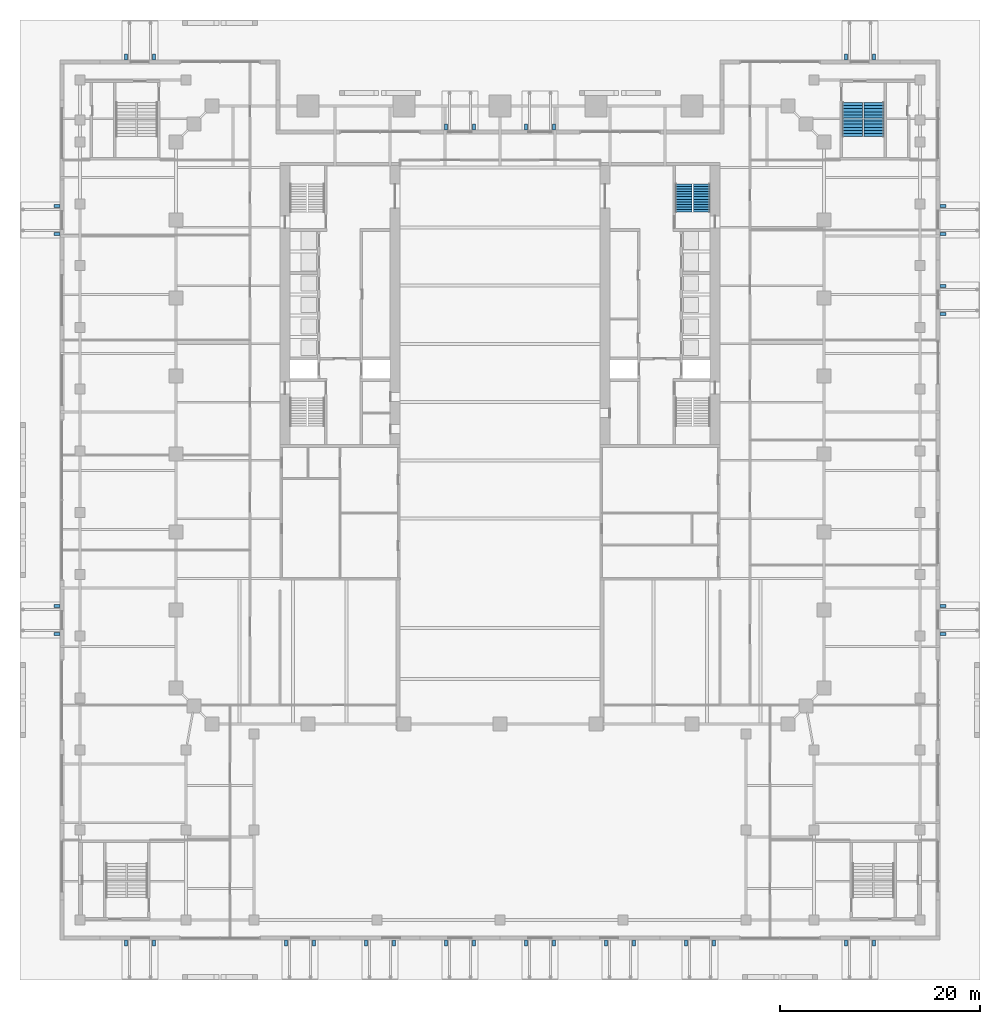
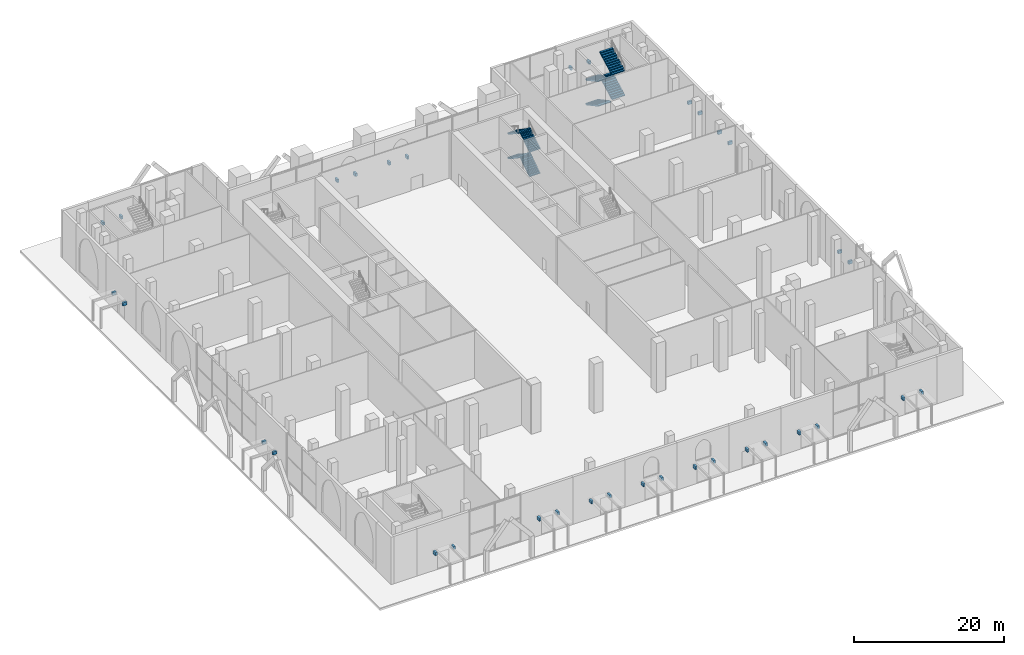
# One storey, part 36 of 38: 34 discrete accessories, 8 stair flights, 2 elements without a shape of their own.
"""IFC4 building model written with IfcOpenShell, lengths in metres."""

import ifcopenshell
import ifcopenshell.guid

model = None  # the IFC model being written
_history = None  # IfcOwnerHistory: only IFC2X3 demands one
_inside = {}  # id of a spatial element -> (the spatial element, [elements in it])
_under = {}  # id of a project, library or spatial element -> (it, [spatial elements below it])
_declared = {}  # id of a project -> (the project, [libraries it declares])
_typed = {}  # id of a type object -> (the type object, [elements of that type])
_made_of = {}  # id of a material, layer set ... -> (it, [elements and type objects made of it])


def new_model(schema):
    """Start an empty IFC model of exactly this schema.

    Asked for "IFC4X3", IfcOpenShell would pick the latest addendum, in which some entities
    have other attributes; the version numbers below select the first issue.
    IFC2X3 requires an IfcOwnerHistory on every rooted entity: one is made here for all.
    """
    global model, _history
    if schema == "IFC4X3":
        model = ifcopenshell.file(schema_version=(4, 3, 0, 0))
    else:
        model = ifcopenshell.file(schema=schema)
    _inside.clear()
    _under.clear()
    _declared.clear()
    _typed.clear()
    _made_of.clear()
    _history = None
    if model.schema == "IFC2X3":
        org = make("IfcOrganization", Name="unknown")
        user = make(
            "IfcPersonAndOrganization",
            ThePerson=make("IfcPerson", FamilyName="unknown"),
            TheOrganization=org,
        )
        app = make(
            "IfcApplication",
            ApplicationDeveloper=org,
            Version="unknown",
            ApplicationFullName="unknown",
            ApplicationIdentifier="unknown",
        )
        _history = make(
            "IfcOwnerHistory",
            OwningUser=user,
            OwningApplication=app,
            ChangeAction="ADDED",
            CreationDate=0,
        )
    return model


def make(cls, **values):
    """One entity of the class cls with the attributes given. An attribute that is None is left unset."""
    return model.create_entity(
        cls, **{name: value for name, value in values.items() if value is not None}
    )


def rooted(cls, **values):
    """An entity with a GlobalId (a new one), such as an element, a storey or a relation."""
    return make(cls, GlobalId=ifcopenshell.guid.new(), OwnerHistory=_history, **values)


def si_unit(unit_type, name, prefix=None):
    """IfcSIUnit, for example si_unit("LENGTHUNIT", "METRE", prefix="MILLI")."""
    return make("IfcSIUnit", UnitType=unit_type, Prefix=prefix, Name=name)


def assignment(units):
    """IfcUnitAssignment: the units of a project."""
    return None if units is None else make("IfcUnitAssignment", Units=units)


def point(xyz):
    """IfcCartesianPoint."""
    return None if xyz is None else make("IfcCartesianPoint", Coordinates=xyz)


def direction(xyz):
    """IfcDirection."""
    return None if xyz is None else make("IfcDirection", DirectionRatios=xyz)


def frame(location, z_axis=None, x_axis=None):
    """IfcAxis2Placement3D, a coordinate frame: its origin and axes. An axis left out is left unset."""
    return make(
        "IfcAxis2Placement3D",
        Location=point(location),
        Axis=direction(z_axis),
        RefDirection=direction(x_axis),
    )


def frame_2d(location, x_axis=None):
    """IfcAxis2Placement2D, a coordinate frame in the plane: its origin and x axis."""
    return make(
        "IfcAxis2Placement2D", Location=point(location), RefDirection=direction(x_axis)
    )


def origin():
    """The frame at (0, 0, 0) with its axes left unset."""
    return frame((0.0, 0.0, 0.0))


def origin_2d():
    """The frame at (0, 0) in the plane with its x axis left unset."""
    return frame_2d((0.0, 0.0))


def place(relative_to, where):
    """IfcLocalPlacement: puts the frame where relative to a parent placement (None: the world)."""
    return make(
        "IfcLocalPlacement", PlacementRelTo=relative_to, RelativePlacement=where
    )


def context(
    kind, dimensions, precision=None, world=None, true_north=None, identifier=None
):
    """IfcGeometricRepresentationContext, for example the 3D "Model" context."""
    return make(
        "IfcGeometricRepresentationContext",
        ContextIdentifier=identifier,
        ContextType=kind,
        CoordinateSpaceDimension=dimensions,
        Precision=precision,
        WorldCoordinateSystem=world,
        TrueNorth=true_north,
    )


def subcontext(parent, identifier, kind, view, scale=None):
    """IfcGeometricRepresentationSubContext, for example "Body" below "Model"."""
    return make(
        "IfcGeometricRepresentationSubContext",
        ContextIdentifier=identifier,
        ContextType=kind,
        ParentContext=parent,
        TargetScale=scale,
        TargetView=view,
    )


def project(units=None, contexts=None):
    """IfcProject with its units and contexts."""
    return rooted(
        "IfcProject",
        Name="project",
        RepresentationContexts=contexts,
        UnitsInContext=assignment(units),
    )


def spatial(cls, under=None, at=None, **own):
    """A site, building, storey or space (cls), placed at a placement, below another one or the project."""
    s = rooted(cls, ObjectPlacement=at, **own)
    if under is not None:
        _under.setdefault(under.id(), (under, []))[1].append(s)
    return s


def polyline(points):
    """IfcPolyline through the points."""
    return make("IfcPolyline", Points=[point(p) for p in points])


def profile(cls, at=None, kind="AREA", **sizes):
    """A parametric profile (cls). Its sizes go by their IFC names, for example OverallWidth=200.0."""
    return make(cls, ProfileType=kind, Position=at, **sizes)


def rectangle(**sizes):
    """IfcRectangleProfileDef."""
    return profile("IfcRectangleProfileDef", **sizes)


def outline(outer, holes=None, kind="AREA"):
    """IfcArbitraryClosedProfileDef: a profile drawn as a closed curve; with holes, ...WithVoids."""
    if holes is None:
        return make("IfcArbitraryClosedProfileDef", ProfileType=kind, OuterCurve=outer)
    return make(
        "IfcArbitraryProfileDefWithVoids",
        ProfileType=kind,
        OuterCurve=outer,
        InnerCurves=holes,
    )


def extrude(swept, where, along, depth):
    """IfcExtrudedAreaSolid: the profile swept, set in the frame where, extruded along a direction by depth."""
    return make(
        "IfcExtrudedAreaSolid",
        SweptArea=swept,
        Position=where,
        ExtrudedDirection=direction(along),
        Depth=depth,
    )


def shape(context_of_items, identifier, shape_type, items):
    """IfcShapeRepresentation: the items that make up one representation, for example the "Body"."""
    return make(
        "IfcShapeRepresentation",
        ContextOfItems=context_of_items,
        RepresentationIdentifier=identifier,
        RepresentationType=shape_type,
        Items=items,
    )


def material(Name=None, Category=None):
    """IfcMaterial."""
    return make("IfcMaterial", Name=Name, Category=Category)


def made_of(thing, what):
    """Note that an element or type object is made of a material, layer set ...; save() writes the relation."""
    if what is not None:
        _made_of.setdefault(what.id(), (what, []))[1].append(thing)
    return thing


def type_object(cls, material=None, **own):
    """A type object (cls), such as IfcWallType, which elements share."""
    return made_of(rooted(cls, **own), material)


def element(
    cls,
    number,
    at=None,
    inside=None,
    cuts=None,
    type_object=None,
    material=None,
    context=None,
    identifier="Body",
    shape_type=None,
    held_by="IfcProductDefinitionShape",
    body=None,
    shapes=None,
    **own,
):
    """One element of the class cls, such as IfcWall. Its Tag is "e" and its number.

    at: its placement. inside: the storey or other place that contains it. cuts: it is an
    opening in that element (IfcRelVoidsElement). A single representation is given by context,
    identifier, shape_type and body (its items); several are given by shapes. held_by: the class
    of the entity that holds the representations. save() writes the other relations.
    """
    e = rooted(cls, Tag="e%d" % number, ObjectPlacement=at, **own)
    if body is not None:
        shapes = [shape(context, identifier, shape_type, body)]
    if shapes is not None:
        e.Representation = make(held_by, Representations=shapes)
    if inside is not None:
        _inside.setdefault(inside.id(), (inside, []))[1].append(e)
    if cuts is not None:
        rooted(
            "IfcRelVoidsElement", RelatingBuildingElement=cuts, RelatedOpeningElement=e
        )
    if type_object is not None:
        _typed.setdefault(type_object.id(), (type_object, []))[1].append(e)
    return made_of(e, material)


def aggregate(whole, parts):
    """IfcRelAggregates: a whole, such as a stair, and the parts it consists of."""
    return rooted("IfcRelAggregates", RelatingObject=whole, RelatedObjects=parts)


def save(model, path):
    """Write the relations noted so far, then the file.

    IfcRelAggregates (storeys below a building ...), IfcRelContainedInSpatialStructure (elements
    in a storey), IfcRelDefinesByType, IfcRelAssociatesMaterial and IfcRelDeclares: one each for
    every whole, place, type object, material and project.
    """
    for whole, parts in _under.values():
        aggregate(whole, parts)
    for where, things in _inside.values():
        rooted(
            "IfcRelContainedInSpatialStructure",
            RelatedElements=things,
            RelatingStructure=where,
        )
    for kind, things in _typed.values():
        rooted("IfcRelDefinesByType", RelatedObjects=things, RelatingType=kind)
    for what, things in _made_of.values():
        rooted("IfcRelAssociatesMaterial", RelatedObjects=things, RelatingMaterial=what)
    for by, libraries in _declared.values():
        rooted("IfcRelDeclares", RelatingContext=by, RelatedDefinitions=libraries)
    model.write(path)


model = new_model("IFC4")

# Units and contexts
model_context = context("Model", 3, precision=1e-05, world=origin(), true_north=direction((0.0, 1.0)))
body_context = subcontext(model_context, "Body", "Model", "MODEL_VIEW")
ifc_project = project(units=[si_unit("LENGTHUNIT", "METRE"), si_unit("AREAUNIT", "SQUARE_METRE"), si_unit("VOLUMEUNIT", "CUBIC_METRE"), si_unit("PLANEANGLEUNIT", "RADIAN"), si_unit("MASSUNIT", "GRAM", prefix="KILO")], contexts=[model_context])

# Site, building, storey
site_placement = place(None, origin())
site = spatial("IfcSite", under=ifc_project, at=site_placement, CompositionType="ELEMENT")
building_placement = place(site_placement, origin())
building = spatial("IfcBuilding", under=site, at=building_placement, Name="Ogive Exchange Tower", CompositionType="ELEMENT")
storey_placement = place(building_placement, origin())
storey = spatial("IfcBuildingStorey", under=building, at=storey_placement, Name="L00", CompositionType="ELEMENT", Elevation=0.0)

# Stair, stair flights
ifc_material = material(Name="Concrete C40/50", Category="concrete")
stair_type_1 = type_object("IfcStairType", Name="Exit stair 1650 wide", PredefinedType="HALF_TURN_STAIR", material=ifc_material)
stair_1_placement = place(storey_placement, origin())
stair_1 = element("IfcStair", 1, at=stair_1_placement, inside=storey, type_object=stair_type_1, Name="L00 exit stair ST4", PredefinedType="HALF_TURN_STAIR")
stair_flight_type_1 = type_object("IfcStairFlightType", Name="Stair flight 1650 wide", PredefinedType="STRAIGHT", material=ifc_material)
stair_flight_1_placement = place(storey_placement, frame((20.175048828125, 20.800048828125, 0.0), z_axis=(0.0, 0.0, 1.0), x_axis=(0.0, 1.0, 0.0)))
stair_flight_1 = element("IfcStairFlight", 2, at=stair_flight_1_placement, type_object=stair_flight_type_1, Name="ST4 flight 1", NumberOfRisers=12, NumberOfTreads=11, PredefinedType="STRAIGHT", RiserHeight=0.166666667, TreadLength=0.255, context=body_context, shape_type="SweptSolid", body=[
    extrude(outline(polyline([(0.0, 0.0), (0.0, 0.166748046875), (0.2548828125, 0.166748046875), (0.2548828125, 0.333251953125), (0.510009765625, 0.333251953125), (0.510009765625, 0.5), (0.764892578125, 0.5), (0.764892578125, 0.666748046875), (1.02001953125, 0.666748046875), (1.02001953125, 0.833251953125), (1.27490234375, 0.833251953125), (1.27490234375, 1.0), (1.530029296875, 1.0), (1.530029296875, 1.166748046875), (1.784912109375, 1.166748046875), (1.784912109375, 1.333251953125), (2.0400390625, 1.333251953125), (2.0400390625, 1.5), (2.294921875, 1.5), (2.294921875, 1.666748046875), (2.550048828125, 1.666748046875), (2.550048828125, 1.833251953125), (2.804931640625, 1.833251953125), (2.804931640625, 2.0), (2.804931640625, 1.654296875), (0.27392578125, 0.0), (0.0, 0.0)])), frame((0.0, 0.824951171875, 0.0), z_axis=(0.0, -1.0, 0.0), x_axis=(1.0, 0.0, 0.0)), (0.0, 0.0, 1.0), 1.64990234375),
])
stair_flight_2_placement = place(storey_placement, frame((18.375, 23.60498046875, 2.0), z_axis=(0.0, 0.0, 1.0), x_axis=(0.0, -1.0, 0.0)))
stair_flight_2 = element("IfcStairFlight", 3, at=stair_flight_2_placement, type_object=stair_flight_type_1, Name="ST4 flight 2", NumberOfRisers=12, NumberOfTreads=11, PredefinedType="STRAIGHT", RiserHeight=0.166666667, TreadLength=0.255, context=body_context, shape_type="SweptSolid", body=[
    extrude(outline(polyline([(0.0, 0.0), (0.0, 0.166748046875), (0.2548828125, 0.166748046875), (0.2548828125, 0.333251953125), (0.510009765625, 0.333251953125), (0.510009765625, 0.5), (0.764892578125, 0.5), (0.764892578125, 0.666748046875), (1.02001953125, 0.666748046875), (1.02001953125, 0.833251953125), (1.27490234375, 0.833251953125), (1.27490234375, 1.0), (1.530029296875, 1.0), (1.530029296875, 1.166748046875), (1.784912109375, 1.166748046875), (1.784912109375, 1.333251953125), (2.0400390625, 1.333251953125), (2.0400390625, 1.5), (2.294921875, 1.5), (2.294921875, 1.666748046875), (2.550048828125, 1.666748046875), (2.550048828125, 1.833251953125), (2.804931640625, 1.833251953125), (2.804931640625, 2.0), (2.804931640625, 1.654296875), (0.27392578125, 0.0), (0.0, 0.0)])), frame((0.0, 0.824951171875, 0.0), z_axis=(0.0, -1.0, 0.0), x_axis=(1.0, 0.0, 0.0)), (0.0, 0.0, 1.0), 1.64990234375),
])
stair_flight_3_placement = place(storey_placement, frame((20.175048828125, 20.800048828125, 4.0), z_axis=(0.0, 0.0, 1.0), x_axis=(0.0, 1.0, 0.0)))
stair_flight_3 = element("IfcStairFlight", 4, at=stair_flight_3_placement, type_object=stair_flight_type_1, Name="ST4 flight 3", NumberOfRisers=12, NumberOfTreads=11, PredefinedType="STRAIGHT", RiserHeight=0.166666667, TreadLength=0.255, context=body_context, shape_type="SweptSolid", body=[
    extrude(outline(polyline([(0.0, 0.0), (0.0, 0.166748046875), (0.2548828125, 0.166748046875), (0.2548828125, 0.333251953125), (0.510009765625, 0.333251953125), (0.510009765625, 0.5), (0.764892578125, 0.5), (0.764892578125, 0.666748046875), (1.02001953125, 0.666748046875), (1.02001953125, 0.833251953125), (1.27490234375, 0.833251953125), (1.27490234375, 1.0), (1.530029296875, 1.0), (1.530029296875, 1.166748046875), (1.784912109375, 1.166748046875), (1.784912109375, 1.333251953125), (2.0400390625, 1.333251953125), (2.0400390625, 1.5), (2.294921875, 1.5), (2.294921875, 1.666748046875), (2.550048828125, 1.666748046875), (2.550048828125, 1.833251953125), (2.804931640625, 1.833251953125), (2.804931640625, 2.0), (2.804931640625, 1.654296875), (0.27392578125, 0.0), (0.0, 0.0)])), frame((0.0, 0.824951171875, 0.0), z_axis=(0.0, -1.0, 0.0), x_axis=(1.0, 0.0, 0.0)), (0.0, 0.0, 1.0), 1.64990234375),
])
stair_flight_4_placement = place(storey_placement, frame((18.375, 23.60498046875, 6.0), z_axis=(0.0, 0.0, 1.0), x_axis=(0.0, -1.0, 0.0)))
stair_flight_4 = element("IfcStairFlight", 5, at=stair_flight_4_placement, type_object=stair_flight_type_1, Name="ST4 flight 4", NumberOfRisers=12, NumberOfTreads=11, PredefinedType="STRAIGHT", RiserHeight=0.166666667, TreadLength=0.255, context=body_context, shape_type="SweptSolid", body=[
    extrude(outline(polyline([(0.0, 0.0), (0.0, 0.166748046875), (0.2548828125, 0.166748046875), (0.2548828125, 0.333251953125), (0.510009765625, 0.333251953125), (0.510009765625, 0.5), (0.764892578125, 0.5), (0.764892578125, 0.666748046875), (1.02001953125, 0.666748046875), (1.02001953125, 0.833251953125), (1.27490234375, 0.833251953125), (1.27490234375, 1.0), (1.530029296875, 1.0), (1.530029296875, 1.166748046875), (1.784912109375, 1.166748046875), (1.784912109375, 1.333251953125), (2.0400390625, 1.333251953125), (2.0400390625, 1.5), (2.294921875, 1.5), (2.294921875, 1.666748046875), (2.550048828125, 1.666748046875), (2.550048828125, 1.833251953125), (2.804931640625, 1.833251953125), (2.804931640625, 2.0), (2.804931640625, 1.654296875), (0.27392578125, 0.0), (0.0, 0.0)])), frame((0.0, 0.824951171875, 0.0), z_axis=(0.0, -1.0, 0.0), x_axis=(1.0, 0.0, 0.0)), (0.0, 0.0, 1.0), 1.64990234375),
])
aggregate(stair_1, [stair_flight_1, stair_flight_2, stair_flight_3, stair_flight_4])

stair_type_2 = type_object("IfcStairType", Name="Exit stair 2000 wide", PredefinedType="HALF_TURN_STAIR", material=ifc_material)
stair_2_placement = place(storey_placement, origin())
stair_2 = element("IfcStair", 6, at=stair_2_placement, inside=storey, type_object=stair_type_2, Name="L00 exit stair PS4", PredefinedType="HALF_TURN_STAIR")
stair_flight_type_2 = type_object("IfcStairFlightType", Name="Stair flight 2000 wide", PredefinedType="STRAIGHT", material=ifc_material)
stair_flight_5_placement = place(storey_placement, frame((35.25, 31.75, 0.0), z_axis=(0.0, 0.0, 1.0), x_axis=(0.0, -1.0, 0.0)))
stair_flight_5 = element("IfcStairFlight", 7, at=stair_flight_5_placement, type_object=stair_flight_type_2, Name="PS4 flight 1", NumberOfRisers=12, NumberOfTreads=11, PredefinedType="STRAIGHT", RiserHeight=0.166666667, TreadLength=0.31, context=body_context, shape_type="SweptSolid", body=[
    extrude(outline(polyline([(0.0, 0.0), (0.0, 0.166748046875), (0.31005859375, 0.166748046875), (0.31005859375, 0.333251953125), (0.6201171875, 0.333251953125), (0.6201171875, 0.5), (0.929931640625, 0.5), (0.929931640625, 0.666748046875), (1.239990234375, 0.666748046875), (1.239990234375, 0.833251953125), (1.550048828125, 0.833251953125), (1.550048828125, 1.0), (1.860107421875, 1.0), (1.860107421875, 1.166748046875), (2.169921875, 1.166748046875), (2.169921875, 1.333251953125), (2.47998046875, 1.333251953125), (2.47998046875, 1.5), (2.7900390625, 1.5), (2.7900390625, 1.666748046875), (3.10009765625, 1.666748046875), (3.10009765625, 1.833251953125), (3.409912109375, 1.833251953125), (3.409912109375, 2.0), (3.409912109375, 1.6630859375), (0.316650390625, 0.0), (0.0, 0.0)])), frame((0.0, 1.0, 0.0), z_axis=(0.0, -1.0, 0.0), x_axis=(1.0, 0.0, 0.0)), (0.0, 0.0, 1.0), 2.0),
])
stair_flight_6_placement = place(storey_placement, frame((37.39990234375, 28.340087890625, 2.0), z_axis=(0.0, 0.0, 1.0), x_axis=(0.0, 1.0, 0.0)))
stair_flight_6 = element("IfcStairFlight", 8, at=stair_flight_6_placement, type_object=stair_flight_type_2, Name="PS4 flight 2", NumberOfRisers=12, NumberOfTreads=11, PredefinedType="STRAIGHT", RiserHeight=0.166666667, TreadLength=0.31, context=body_context, shape_type="SweptSolid", body=[
    extrude(outline(polyline([(0.0, 0.0), (0.0, 0.166748046875), (0.31005859375, 0.166748046875), (0.31005859375, 0.333251953125), (0.6201171875, 0.333251953125), (0.6201171875, 0.5), (0.929931640625, 0.5), (0.929931640625, 0.666748046875), (1.239990234375, 0.666748046875), (1.239990234375, 0.833251953125), (1.550048828125, 0.833251953125), (1.550048828125, 1.0), (1.860107421875, 1.0), (1.860107421875, 1.166748046875), (2.169921875, 1.166748046875), (2.169921875, 1.333251953125), (2.47998046875, 1.333251953125), (2.47998046875, 1.5), (2.7900390625, 1.5), (2.7900390625, 1.666748046875), (3.10009765625, 1.666748046875), (3.10009765625, 1.833251953125), (3.409912109375, 1.833251953125), (3.409912109375, 2.0), (3.409912109375, 1.6630859375), (0.316650390625, 0.0), (0.0, 0.0)])), frame((0.0, 1.0, 0.0), z_axis=(0.0, -1.0, 0.0), x_axis=(1.0, 0.0, 0.0)), (0.0, 0.0, 1.0), 2.0),
])
stair_flight_7_placement = place(storey_placement, frame((35.25, 31.75, 4.0), z_axis=(0.0, 0.0, 1.0), x_axis=(0.0, -1.0, 0.0)))
stair_flight_7 = element("IfcStairFlight", 9, at=stair_flight_7_placement, type_object=stair_flight_type_2, Name="PS4 flight 3", NumberOfRisers=12, NumberOfTreads=11, PredefinedType="STRAIGHT", RiserHeight=0.166666667, TreadLength=0.31, context=body_context, shape_type="SweptSolid", body=[
    extrude(outline(polyline([(0.0, 0.0), (0.0, 0.166748046875), (0.31005859375, 0.166748046875), (0.31005859375, 0.333251953125), (0.6201171875, 0.333251953125), (0.6201171875, 0.5), (0.929931640625, 0.5), (0.929931640625, 0.666748046875), (1.239990234375, 0.666748046875), (1.239990234375, 0.833251953125), (1.550048828125, 0.833251953125), (1.550048828125, 1.0), (1.860107421875, 1.0), (1.860107421875, 1.166748046875), (2.169921875, 1.166748046875), (2.169921875, 1.333251953125), (2.47998046875, 1.333251953125), (2.47998046875, 1.5), (2.7900390625, 1.5), (2.7900390625, 1.666748046875), (3.10009765625, 1.666748046875), (3.10009765625, 1.833251953125), (3.409912109375, 1.833251953125), (3.409912109375, 2.0), (3.409912109375, 1.6630859375), (0.316650390625, 0.0), (0.0, 0.0)])), frame((0.0, 1.0, 0.0), z_axis=(0.0, -1.0, 0.0), x_axis=(1.0, 0.0, 0.0)), (0.0, 0.0, 1.0), 2.0),
])
stair_flight_8_placement = place(storey_placement, frame((37.39990234375, 28.340087890625, 6.0), z_axis=(0.0, 0.0, 1.0), x_axis=(0.0, 1.0, 0.0)))
stair_flight_8 = element("IfcStairFlight", 10, at=stair_flight_8_placement, type_object=stair_flight_type_2, Name="PS4 flight 4", NumberOfRisers=12, NumberOfTreads=11, PredefinedType="STRAIGHT", RiserHeight=0.166666667, TreadLength=0.31, context=body_context, shape_type="SweptSolid", body=[
    extrude(outline(polyline([(0.0, 0.0), (0.0, 0.166748046875), (0.31005859375, 0.166748046875), (0.31005859375, 0.333251953125), (0.6201171875, 0.333251953125), (0.6201171875, 0.5), (0.929931640625, 0.5), (0.929931640625, 0.666748046875), (1.239990234375, 0.666748046875), (1.239990234375, 0.833251953125), (1.550048828125, 0.833251953125), (1.550048828125, 1.0), (1.860107421875, 1.0), (1.860107421875, 1.166748046875), (2.169921875, 1.166748046875), (2.169921875, 1.333251953125), (2.47998046875, 1.333251953125), (2.47998046875, 1.5), (2.7900390625, 1.5), (2.7900390625, 1.666748046875), (3.10009765625, 1.666748046875), (3.10009765625, 1.833251953125), (3.409912109375, 1.833251953125), (3.409912109375, 2.0), (3.409912109375, 1.6630859375), (0.316650390625, 0.0), (0.0, 0.0)])), frame((0.0, 1.0, 0.0), z_axis=(0.0, -1.0, 0.0), x_axis=(1.0, 0.0, 0.0)), (0.0, 0.0, 1.0), 2.0),
])
aggregate(stair_2, [stair_flight_5, stair_flight_6, stair_flight_7, stair_flight_8])

# Discrete accessories
for number, where, z_axis, x_axis, name in (
    (11, (-37.39990234375, -52.300048828125, 2.800048828125), (0.0, 0.0, 1.0), (1.0, 0.0, 0.0), "Canopy bracket 1.1"),
    (12, (-34.60009765625, -52.300048828125, 2.800048828125), (0.0, 0.0, 1.0), (1.0, 0.0, 0.0), "Canopy bracket 1.2"),
    (13, (-21.39990234375, -52.300048828125, 2.800048828125), (0.0, 0.0, 1.0), (1.0, 0.0, 0.0), "Canopy bracket 2.1"),
    (14, (-18.60009765625, -52.300048828125, 2.800048828125), (0.0, 0.0, 1.0), (1.0, 0.0, 0.0), "Canopy bracket 2.2"),
    (15, (-13.39990234375, -52.300048828125, 2.800048828125), (0.0, 0.0, 1.0), (1.0, 0.0, 0.0), "Canopy bracket 3.1"),
    (16, (-10.60009765625, -52.300048828125, 2.800048828125), (0.0, 0.0, 1.0), (1.0, 0.0, 0.0), "Canopy bracket 3.2"),
    (17, (-5.39990234375, -52.300048828125, 2.800048828125), (0.0, 0.0, 1.0), (1.0, 0.0, 0.0), "Canopy bracket 4.1"),
    (18, (-2.60009765625, -52.300048828125, 2.800048828125), (0.0, 0.0, 1.0), (1.0, 0.0, 0.0), "Canopy bracket 4.2"),
    (19, (2.60009765625, -52.300048828125, 2.800048828125), (0.0, 0.0, 1.0), (1.0, 0.0, 0.0), "Canopy bracket 5.1"),
    (20, (5.39990234375, -52.300048828125, 2.800048828125), (0.0, 0.0, 1.0), (1.0, 0.0, 0.0), "Canopy bracket 5.2"),
    (21, (10.60009765625, -52.300048828125, 2.800048828125), (0.0, 0.0, 1.0), (1.0, 0.0, 0.0), "Canopy bracket 6.1"),
    (22, (13.39990234375, -52.300048828125, 2.800048828125), (0.0, 0.0, 1.0), (1.0, 0.0, 0.0), "Canopy bracket 6.2"),
    (23, (18.60009765625, -52.300048828125, 2.800048828125), (0.0, 0.0, 1.0), (1.0, 0.0, 0.0), "Canopy bracket 7.1"),
    (24, (21.39990234375, -52.300048828125, 2.800048828125), (0.0, 0.0, 1.0), (1.0, 0.0, 0.0), "Canopy bracket 7.2"),
    (25, (34.60009765625, -52.300048828125, 2.800048828125), (0.0, 0.0, 1.0), (1.0, 0.0, 0.0), "Canopy bracket 8.1"),
    (26, (37.39990234375, -52.300048828125, 2.800048828125), (0.0, 0.0, 1.0), (1.0, 0.0, 0.0), "Canopy bracket 8.2"),
    (27, (44.300048828125, -21.39990234375, 2.800048828125), (0.0, 0.0, 1.0), (0.0, 1.0, 0.0), "Canopy bracket 9.1"),
    (28, (44.300048828125, -18.60009765625, 2.800048828125), (0.0, 0.0, 1.0), (0.0, 1.0, 0.0), "Canopy bracket 9.2"),
    (29, (44.300048828125, 10.60009765625, 2.800048828125), (0.0, 0.0, 1.0), (0.0, 1.0, 0.0), "Canopy bracket 12.1"),
    (30, (44.300048828125, 13.39990234375, 2.800048828125), (0.0, 0.0, 1.0), (0.0, 1.0, 0.0), "Canopy bracket 12.2"),
    (31, (44.300048828125, 18.60009765625, 2.800048828125), (0.0, 0.0, 1.0), (0.0, 1.0, 0.0), "Canopy bracket 13.1"),
    (32, (44.300048828125, 21.39990234375, 2.800048828125), (0.0, 0.0, 1.0), (0.0, 1.0, 0.0), "Canopy bracket 13.2"),
    (33, (37.39990234375, 36.300048828125, 2.800048828125), (0.0, 0.0, 1.0), (-1.0, 0.0, 0.0), "Canopy bracket 14.1"),
    (34, (34.60009765625, 36.300048828125, 2.800048828125), (0.0, 0.0, 1.0), (-1.0, 0.0, 0.0), "Canopy bracket 14.2"),
    (35, (5.39990234375, 29.300048828125, 2.800048828125), (0.0, 0.0, 1.0), (-1.0, 0.0, 0.0), "Canopy bracket 15.1"),
    (36, (2.60009765625, 29.300048828125, 2.800048828125), (0.0, 0.0, 1.0), (-1.0, 0.0, 0.0), "Canopy bracket 15.2"),
    (37, (-2.60009765625, 29.300048828125, 2.800048828125), (0.0, 0.0, 1.0), (-1.0, 0.0, 0.0), "Canopy bracket 16.1"),
    (38, (-5.39990234375, 29.300048828125, 2.800048828125), (0.0, 0.0, 1.0), (-1.0, 0.0, 0.0), "Canopy bracket 16.2"),
    (39, (-34.60009765625, 36.300048828125, 2.800048828125), (0.0, 0.0, 1.0), (-1.0, 0.0, 0.0), "Canopy bracket 17.1"),
    (40, (-37.39990234375, 36.300048828125, 2.800048828125), (0.0, 0.0, 1.0), (-1.0, 0.0, 0.0), "Canopy bracket 17.2"),
    (41, (-44.300048828125, 21.39990234375, 2.800048828125), (0.0, 0.0, 1.0), (0.0, -1.0, 0.0), "Canopy bracket 18.1"),
    (42, (-44.300048828125, 18.60009765625, 2.800048828125), (0.0, 0.0, 1.0), (0.0, -1.0, 0.0), "Canopy bracket 18.2"),
    (43, (-44.300048828125, -18.60009765625, 2.800048828125), (0.0, 0.0, 1.0), (0.0, -1.0, 0.0), "Canopy bracket 19.1"),
    (44, (-44.300048828125, -21.39990234375, 2.800048828125), (0.0, 0.0, 1.0), (0.0, -1.0, 0.0), "Canopy bracket 19.2"),
):
    element("IfcDiscreteAccessory", number, at=place(storey_placement, frame(where, z_axis=z_axis, x_axis=x_axis)), inside=storey, Name=name, PredefinedType="BRACKET", context=body_context, shape_type="SweptSolid", body=[
        extrude(rectangle(XDim=0.300048828125, YDim=0.60009765625, at=origin_2d()), origin(), (0.0, 0.0, 1.0), 0.5),
    ])

save(model, "model.ifc")
